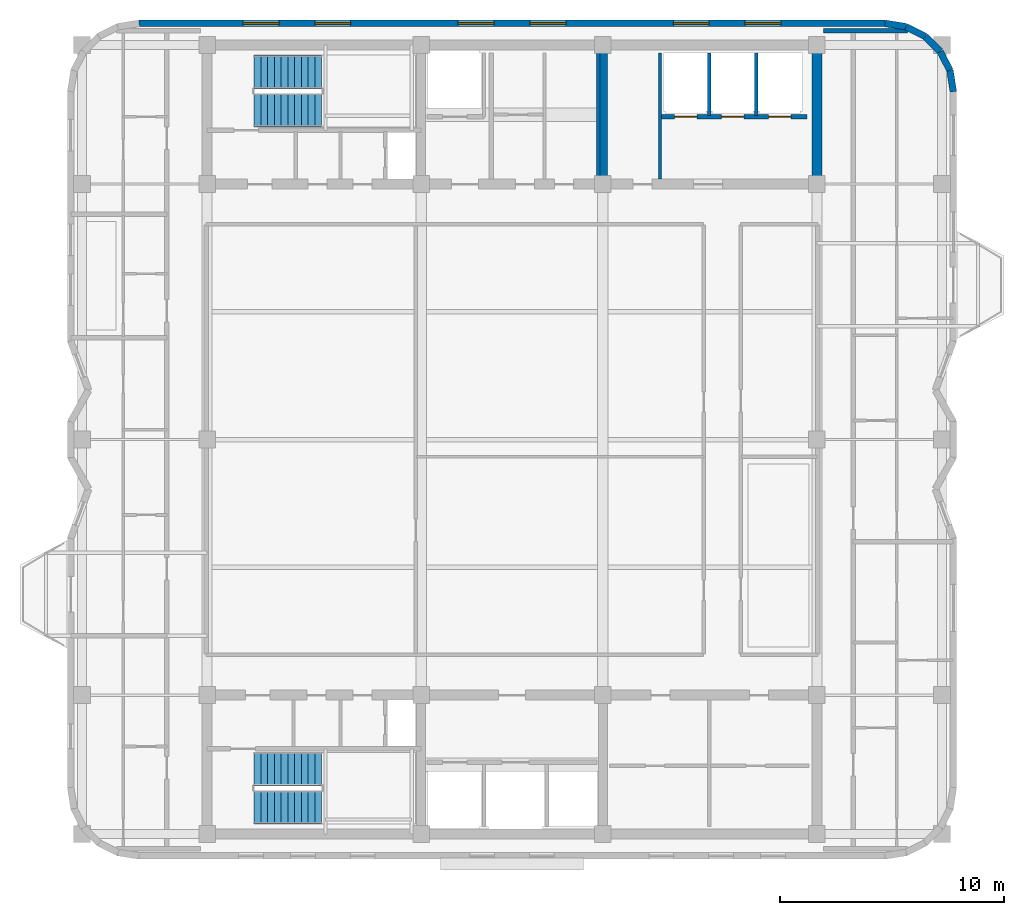
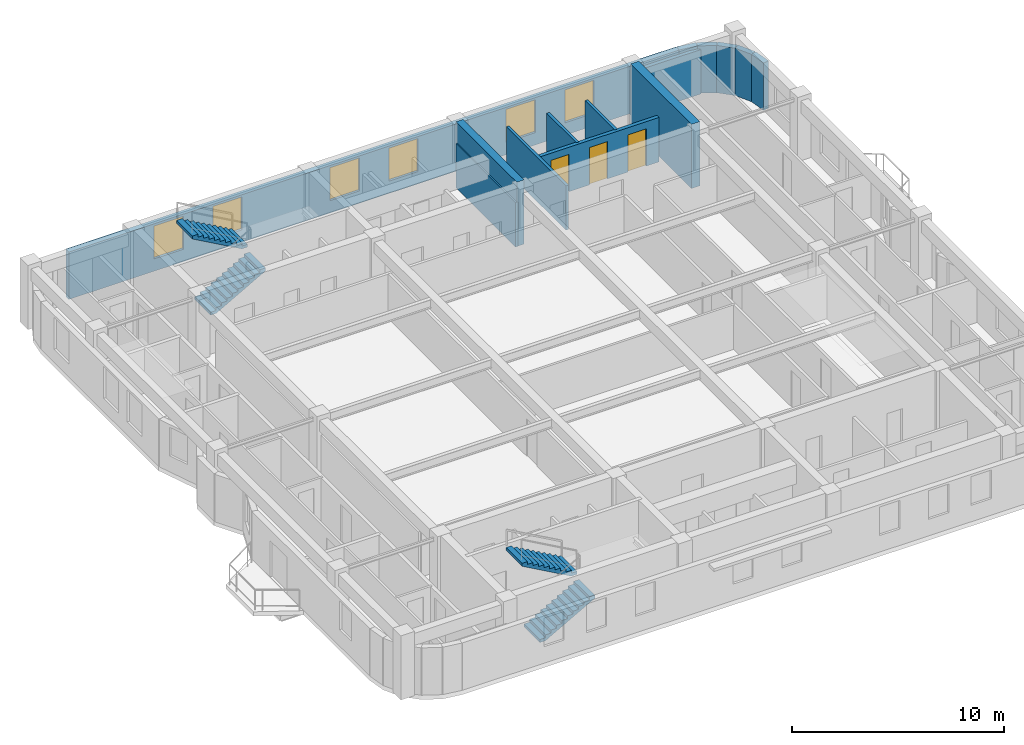
# One storey, part 7 of 9: 14 walls, 6 windows, 4 stair flights, 3 doors, 9 openings, 2 elements without a shape of their own.
"""IFC4 building model written with IfcOpenShell, lengths in metres."""

from ifc_helpers import new_model, si_unit, direction, frame, frame_2d, origin, place, context, subcontext, project, spatial, polyline, rectangle, outline, extrude, material, layer, layer_set, type_object, element, fill, aggregate, save


model = new_model("IFC4")

# Units and contexts
model_context = context("Model", 3, precision=1e-05, world=origin(), true_north=direction((0.0, 1.0)))
body_context = subcontext(model_context, "Body", "Model", "MODEL_VIEW")
ifc_project = project(units=[si_unit("LENGTHUNIT", "METRE"), si_unit("AREAUNIT", "SQUARE_METRE"), si_unit("VOLUMEUNIT", "CUBIC_METRE"), si_unit("PLANEANGLEUNIT", "RADIAN"), si_unit("MASSUNIT", "GRAM", prefix="KILO")], contexts=[model_context])

# Site, building, storey
site_placement = place(None, origin())
site = spatial("IfcSite", under=ifc_project, at=site_placement, CompositionType="ELEMENT")
building_placement = place(site_placement, origin())
building = spatial("IfcBuilding", under=site, at=building_placement, Name="Svetorya Sky Lyceum", CompositionType="ELEMENT")
storey_placement = place(building_placement, frame((0.0, 0.0, 271.300048828125)))
storey = spatial("IfcBuildingStorey", under=building, at=storey_placement, Name="L68", CompositionType="ELEMENT", Elevation=271.300048828125)

# Walls
ifc_material_1 = material(Name="Concrete C40/50", Category="concrete")
ifc_layer_1 = layer(ifc_material_1, 0.39990234375)
ifc_layer_set_1 = layer_set([ifc_layer_1], Name="Concrete C40/50")
wall_type_1 = type_object("IfcWallType", Name="WL-CORE-400", PredefinedType="SHEAR", material=ifc_layer_set_1)
wall_1_placement = place(storey_placement, frame((43.25, 39.824951171875, 0.0), z_axis=(0.0, 0.0, 1.0), x_axis=(0.0, 1.0, 0.0)))
element("IfcWall", 1, at=wall_1_placement, inside=storey, type_object=wall_type_1, Name="L68 NC Internal Shear Web WEB2", PredefinedType="SHEAR", context=body_context, shape_type="SweptSolid", body=[
    extrude(rectangle(XDim=5.75, YDim=0.39990234375, at=frame_2d((2.875, 0.0))), origin(), (0.0, 0.0, 1.0), 3.699951171875),
])
ifc_material_2 = material(Name="Concrete C50/60", Category="concrete")
ifc_layer_2 = layer(ifc_material_2, 0.449951171875)
ifc_layer_set_2 = layer_set([ifc_layer_2], Name="Concrete C50/60")
wall_type_2 = type_object("IfcWallType", Name="WL-CORE-450", PredefinedType="SHEAR", material=ifc_layer_set_2)
wall_2_placement = place(storey_placement, frame((52.800048828125, 39.824951171875, 0.0), z_axis=(0.0, 0.0, 1.0), x_axis=(0.0, 1.0, 0.0)))
element("IfcWall", 2, at=wall_2_placement, inside=storey, type_object=wall_type_2, Name="L68 NC East Core Shear Wall", PredefinedType="SHEAR", context=body_context, shape_type="SweptSolid", body=[
    extrude(rectangle(XDim=5.75, YDim=0.449951171875, at=frame_2d((2.875, 0.0))), origin(), (0.0, 0.0, 1.0), 3.699951171875),
])
ifc_material_3 = material(Name="Putilovo limestone rainscreen on autoclaved cellular masonry", Category="masonry")
ifc_layer_3 = layer(ifc_material_3, 0.300048828125)
ifc_layer_set_3 = layer_set([ifc_layer_3], Name="Putilovo limestone rainscreen on autoclaved cellular masonry")
wall_type_3 = type_object("IfcWallType", Name="WL-EXT-300", PredefinedType="SOLIDWALL", material=ifc_layer_set_3)
wall_3_placement = place(storey_placement, frame((58.889892578125, 43.719970703125, 0.0), z_axis=(0.0, 0.0, 1.0), x_axis=(-0.156304114255, 0.987708977314, 0.0)))
element("IfcWall", 3, at=wall_3_placement, inside=storey, type_object=wall_type_3, Name="L68 Limestone Exterior Wall 19M", PredefinedType="SOLIDWALL", context=body_context, shape_type="SweptSolid", body=[
    extrude(rectangle(XDim=0.954345703125, YDim=0.300048828125, at=frame_2d((0.47705078125, 0.0))), origin(), (0.0, 0.0, 1.0), 2.72998046875),
])
wall_4_placement = place(storey_placement, frame((58.74072265625, 44.66259765625, 0.0), z_axis=(0.0, 0.0, 1.0), x_axis=(-0.45395644796, 0.891023873617, 0.0)))
element("IfcWall", 4, at=wall_4_placement, inside=storey, type_object=wall_type_3, Name="L68 Limestone Exterior Wall 20M", PredefinedType="SOLIDWALL", context=body_context, shape_type="SweptSolid", body=[
    extrude(rectangle(XDim=0.9541015625, YDim=0.300048828125, at=frame_2d((0.47705078125, 0.0))), origin(), (0.0, 0.0, 1.0), 2.72998046875),
])
for number, where, z_axis, x_axis, name in (
    (5, (58.3076171875, 45.5126953125, 0.0), (0.0, 0.0, 1.0), (-0.707106781187, 0.707106781187, 0.0), "L68 Limestone Exterior Wall 21M"),
    (6, (57.6328125, 46.1875, 0.0), (0.0, 0.0, 1.0), (-0.891076589373, 0.453852962833, 0.0), "L68 Limestone Exterior Wall 22M"),
):
    element("IfcWall", number, at=place(storey_placement, frame(where, z_axis=z_axis, x_axis=x_axis)), inside=storey, type_object=wall_type_3, Name=name, PredefinedType="SOLIDWALL", context=body_context, shape_type="SweptSolid", body=[
        extrude(rectangle(XDim=0.954345703125, YDim=0.300048828125, at=frame_2d((0.47705078125, 0.0))), origin(), (0.0, 0.0, 1.0), 2.72998046875),
    ])
wall_5_placement = place(storey_placement, frame((56.782470703125, 46.62060546875, 0.0), z_axis=(0.0, 0.0, 1.0), x_axis=(-0.987663181641, 0.156593229835, 0.0)))
element("IfcWall", 7, at=wall_5_placement, inside=storey, type_object=wall_type_3, Name="L68 Limestone Exterior Wall 23M", PredefinedType="SOLIDWALL", context=body_context, shape_type="SweptSolid", body=[
    extrude(rectangle(XDim=0.9541015625, YDim=0.300048828125, at=frame_2d((0.47705078125, 0.0))), origin(), (0.0, 0.0, 1.0), 2.72998046875),
])

# Wall, openings, windows
wall_6_placement = place(storey_placement, frame((55.840087890625, 46.77001953125, 0.0), z_axis=(0.0, 0.0, 1.0), x_axis=(-1.0, 0.0, 0.0)))
wall_6 = element("IfcWall", 8, at=wall_6_placement, inside=storey, type_object=wall_type_3, Name="L68 Limestone Exterior Wall 24M", PredefinedType="SOLIDWALL", context=body_context, shape_type="SweptSolid", body=[
    extrude(rectangle(XDim=33.280029296875, YDim=0.300048828125, at=frame_2d((16.64013671875, 0.0))), origin(), (0.0, 0.0, 1.0), 2.72998046875),
])
opening_1_placement = place(wall_6_placement, frame((4.64697265625, 0.0, 0.7099609375)))
opening_1 = element("IfcOpeningElement", 9, at=opening_1_placement, cuts=wall_6, Name="Opening W-R4", PredefinedType="OPENING", context=body_context, shape_type="SweptSolid", body=[
    extrude(rectangle(XDim=1.60009765625, YDim=1.89990234375, at=frame_2d((0.800048828125, 0.949951171875))), frame((0.0, 0.159912109375, 0.0), z_axis=(0.0, -1.0, 0.0), x_axis=(1.0, 0.0, 0.0)), (0.0, 0.0, 1.0), 0.320068359375),
])
opening_2_placement = place(wall_6_placement, frame((7.844970703125, 0.0, 0.7099609375)))
opening_2 = element("IfcOpeningElement", 10, at=opening_2_placement, cuts=wall_6, Name="Opening W-R4", PredefinedType="OPENING", context=body_context, shape_type="SweptSolid", body=[
    extrude(rectangle(XDim=1.60009765625, YDim=1.89990234375, at=frame_2d((0.800048828125, 0.949951171875))), frame((0.0, 0.159912109375, 0.0), z_axis=(0.0, -1.0, 0.0), x_axis=(1.0, 0.0, 0.0)), (0.0, 0.0, 1.0), 0.320068359375),
])
opening_3_placement = place(wall_6_placement, frame((14.240966796875, 0.0, 0.7099609375)))
opening_3 = element("IfcOpeningElement", 11, at=opening_3_placement, cuts=wall_6, Name="Opening W-R4", PredefinedType="OPENING", context=body_context, shape_type="SweptSolid", body=[
    extrude(rectangle(XDim=1.60009765625, YDim=1.89990234375, at=frame_2d((0.800048828125, 0.949951171875))), frame((0.0, 0.159912109375, 0.0), z_axis=(0.0, -1.0, 0.0), x_axis=(1.0, 0.0, 0.0)), (0.0, 0.0, 1.0), 0.320068359375),
])
opening_4_placement = place(wall_6_placement, frame((17.43896484375, 0.0, 0.7099609375)))
opening_4 = element("IfcOpeningElement", 12, at=opening_4_placement, cuts=wall_6, Name="Opening W-R4", PredefinedType="OPENING", context=body_context, shape_type="SweptSolid", body=[
    extrude(rectangle(XDim=1.60009765625, YDim=1.89990234375, at=frame_2d((0.800048828125, 0.949951171875))), frame((0.0, 0.159912109375, 0.0), z_axis=(0.0, -1.0, 0.0), x_axis=(1.0, 0.0, 0.0)), (0.0, 0.0, 1.0), 0.320068359375),
])
opening_5_placement = place(wall_6_placement, frame((23.8349609375, 0.0, 0.7099609375)))
opening_5 = element("IfcOpeningElement", 13, at=opening_5_placement, cuts=wall_6, Name="Opening W-R4", PredefinedType="OPENING", context=body_context, shape_type="SweptSolid", body=[
    extrude(rectangle(XDim=1.60009765625, YDim=1.89990234375, at=frame_2d((0.800048828125, 0.949951171875))), frame((0.0, 0.159912109375, 0.0), z_axis=(0.0, -1.0, 0.0), x_axis=(1.0, 0.0, 0.0)), (0.0, 0.0, 1.0), 0.320068359375),
])
opening_6_placement = place(wall_6_placement, frame((27.032958984375, 0.0, 0.7099609375)))
opening_6 = element("IfcOpeningElement", 14, at=opening_6_placement, cuts=wall_6, Name="Opening W-R4", PredefinedType="OPENING", context=body_context, shape_type="SweptSolid", body=[
    extrude(rectangle(XDim=1.60009765625, YDim=1.89990234375, at=frame_2d((0.800048828125, 0.949951171875))), frame((0.0, 0.159912109375, 0.0), z_axis=(0.0, -1.0, 0.0), x_axis=(1.0, 0.0, 0.0)), (0.0, 0.0, 1.0), 0.320068359375),
])
ifc_material_4 = material(Name="Thermally broken aluminium frame with triple low-E glazing", Category="aluminium")
window_type = type_object("IfcWindowType", Name="WN-RES-160", PartitioningType="DOUBLE_PANEL_VERTICAL", PredefinedType="WINDOW", material=ifc_material_4)
window_1_placement = place(opening_1_placement, origin())
window_1 = element("IfcWindow", 15, at=window_1_placement, inside=storey, type_object=window_type, Name="L68 Facade Window W-R4.24M.1", OverallHeight=1.89990234375, OverallWidth=1.60009765625, PartitioningType="SINGLE_PANEL", PredefinedType="WINDOW", context=body_context, shape_type="SweptSolid", body=[
    extrude(rectangle(XDim=1.60009765625, YDim=1.89990234375, at=frame_2d((0.800048828125, 0.949951171875))), frame((0.0, 0.030029296875, 0.0), z_axis=(0.0, -1.0, 0.0), x_axis=(1.0, 0.0, 0.0)), (0.0, 0.0, 1.0), 0.06005859375),
])
fill(opening_1, window_1)
window_2_placement = place(opening_2_placement, origin())
window_2 = element("IfcWindow", 16, at=window_2_placement, inside=storey, type_object=window_type, Name="L68 Facade Window W-R4.24M.2", OverallHeight=1.89990234375, OverallWidth=1.60009765625, PartitioningType="SINGLE_PANEL", PredefinedType="WINDOW", context=body_context, shape_type="SweptSolid", body=[
    extrude(rectangle(XDim=1.60009765625, YDim=1.89990234375, at=frame_2d((0.800048828125, 0.949951171875))), frame((0.0, 0.030029296875, 0.0), z_axis=(0.0, -1.0, 0.0), x_axis=(1.0, 0.0, 0.0)), (0.0, 0.0, 1.0), 0.06005859375),
])
fill(opening_2, window_2)
window_3_placement = place(opening_3_placement, origin())
window_3 = element("IfcWindow", 17, at=window_3_placement, inside=storey, type_object=window_type, Name="L68 Facade Window W-R4.24M.3", OverallHeight=1.89990234375, OverallWidth=1.60009765625, PartitioningType="SINGLE_PANEL", PredefinedType="WINDOW", context=body_context, shape_type="SweptSolid", body=[
    extrude(rectangle(XDim=1.60009765625, YDim=1.89990234375, at=frame_2d((0.800048828125, 0.949951171875))), frame((0.0, 0.030029296875, 0.0), z_axis=(0.0, -1.0, 0.0), x_axis=(1.0, 0.0, 0.0)), (0.0, 0.0, 1.0), 0.06005859375),
])
fill(opening_3, window_3)
window_4_placement = place(opening_4_placement, origin())
window_4 = element("IfcWindow", 18, at=window_4_placement, inside=storey, type_object=window_type, Name="L68 Facade Window W-R4.24M.4", OverallHeight=1.89990234375, OverallWidth=1.60009765625, PartitioningType="SINGLE_PANEL", PredefinedType="WINDOW", context=body_context, shape_type="SweptSolid", body=[
    extrude(rectangle(XDim=1.60009765625, YDim=1.89990234375, at=frame_2d((0.800048828125, 0.949951171875))), frame((0.0, 0.030029296875, 0.0), z_axis=(0.0, -1.0, 0.0), x_axis=(1.0, 0.0, 0.0)), (0.0, 0.0, 1.0), 0.06005859375),
])
fill(opening_4, window_4)
window_5_placement = place(opening_5_placement, origin())
window_5 = element("IfcWindow", 19, at=window_5_placement, inside=storey, type_object=window_type, Name="L68 Facade Window W-R4.24M.5", OverallHeight=1.89990234375, OverallWidth=1.60009765625, PartitioningType="SINGLE_PANEL", PredefinedType="WINDOW", context=body_context, shape_type="SweptSolid", body=[
    extrude(rectangle(XDim=1.60009765625, YDim=1.89990234375, at=frame_2d((0.800048828125, 0.949951171875))), frame((0.0, 0.030029296875, 0.0), z_axis=(0.0, -1.0, 0.0), x_axis=(1.0, 0.0, 0.0)), (0.0, 0.0, 1.0), 0.06005859375),
])
fill(opening_5, window_5)
window_6_placement = place(opening_6_placement, origin())
window_6 = element("IfcWindow", 20, at=window_6_placement, inside=storey, type_object=window_type, Name="L68 Facade Window W-R4.24M.6", OverallHeight=1.89990234375, OverallWidth=1.60009765625, PartitioningType="SINGLE_PANEL", PredefinedType="WINDOW", context=body_context, shape_type="SweptSolid", body=[
    extrude(rectangle(XDim=1.60009765625, YDim=1.89990234375, at=frame_2d((0.800048828125, 0.949951171875))), frame((0.0, 0.030029296875, 0.0), z_axis=(0.0, -1.0, 0.0), x_axis=(1.0, 0.0, 0.0)), (0.0, 0.0, 1.0), 0.06005859375),
])
fill(opening_6, window_6)

# Walls
ifc_material_5 = material(Name="Autoclaved cellular masonry blockwork with acoustic render", Category="masonry")
ifc_layer_4 = layer(ifc_material_5, 0.14990234375)
ifc_layer_set_4 = layer_set([ifc_layer_4], Name="Autoclaved cellular masonry blockwork with acoustic render")
wall_type_4 = type_object("IfcWallType", Name="WL-PART-150", PredefinedType="PARTITIONING", material=ifc_layer_set_4)
for number, where, z_axis, x_axis, name in (
    (21, (43.050048828125, 39.820068359375, 0.0), (0.0, 0.0, 1.0), (0.0, 1.0, 0.0), "L68 Interior Partition NC-FPM-END"),
    (22, (45.800048828125, 39.820068359375, 0.0), (0.0, 0.0, 1.0), (0.0, 1.0, 0.0), "L68 Interior Partition NC-PM3-FULL"),
):
    element("IfcWall", number, at=place(storey_placement, frame(where, z_axis=z_axis, x_axis=x_axis)), inside=storey, type_object=wall_type_4, Name=name, PredefinedType="PARTITIONING", context=body_context, shape_type="SweptSolid", body=[
        extrude(rectangle(XDim=5.6298828125, YDim=0.14990234375, at=frame_2d((2.81494140625, 0.0))), origin(), (0.0, 0.0, 1.0), 2.56005859375),
    ])
for number, where, z_axis, x_axis, name in (
    (23, (48.0, 42.64990234375, 0.0), (0.0, 0.0, 1.0), (0.0, 1.0, 0.0), "L68 Interior Partition NC-PH-D1"),
    (24, (50.10009765625, 42.64990234375, 0.0), (0.0, 0.0, 1.0), (0.0, 1.0, 0.0), "L68 Interior Partition NC-PH-D2"),
):
    element("IfcWall", number, at=place(storey_placement, frame(where, z_axis=z_axis, x_axis=x_axis)), inside=storey, type_object=wall_type_4, Name=name, PredefinedType="PARTITIONING", context=body_context, shape_type="SweptSolid", body=[
        extrude(rectangle(XDim=2.800048828125, YDim=0.14990234375, at=frame_2d((1.39990234375, 0.0))), origin(), (0.0, 0.0, 1.0), 2.56005859375),
    ])

# Wall, openings, doors
ifc_material_6 = material(Name="Autoclaved cellular masonry blockwork with gypsum plaster", Category="masonry")
ifc_layer_5 = layer(ifc_material_6, 0.199951171875)
ifc_layer_set_5 = layer_set([ifc_layer_5], Name="Autoclaved cellular masonry blockwork with gypsum plaster")
wall_type_5 = type_object("IfcWallType", Name="WL-PART-200", PredefinedType="PARTITIONING", material=ifc_layer_set_5)
wall_7_placement = place(storey_placement, frame((52.35009765625, 42.60009765625, 0.0), z_axis=(0.0, 0.0, 1.0), x_axis=(-1.0, 0.0, 0.0)))
wall_7 = element("IfcWall", 25, at=wall_7_placement, inside=storey, type_object=wall_type_5, Name="L68 Interior Partition NC-PHEW", PredefinedType="PARTITIONING", context=body_context, shape_type="SweptSolid", body=[
    extrude(rectangle(XDim=6.5, YDim=0.199951171875, at=frame_2d((3.25, 0.0))), origin(), (0.0, 0.0, 1.0), 2.56005859375),
])
opening_7_placement = place(wall_7_placement, frame((4.89990234375, 0.0, 0.0)))
opening_7 = element("IfcOpeningElement", 26, at=opening_7_placement, cuts=wall_7, Name="Opening LD-P1", PredefinedType="OPENING", context=body_context, shape_type="SweptSolid", body=[
    extrude(rectangle(XDim=1.0, YDim=2.14990234375, at=frame_2d((0.5, 1.074951171875))), frame((0.0, 0.10986328125, 0.0), z_axis=(0.0, -1.0, 0.0), x_axis=(1.0, 0.0, 0.0)), (0.0, 0.0, 1.0), 0.219970703125),
])
opening_8_placement = place(wall_7_placement, frame((2.800048828125, 0.0, 0.0)))
opening_8 = element("IfcOpeningElement", 27, at=opening_8_placement, cuts=wall_7, Name="Opening LD-P1", PredefinedType="OPENING", context=body_context, shape_type="SweptSolid", body=[
    extrude(rectangle(XDim=1.0, YDim=2.14990234375, at=frame_2d((0.5, 1.074951171875))), frame((0.0, 0.10986328125, 0.0), z_axis=(0.0, -1.0, 0.0), x_axis=(1.0, 0.0, 0.0)), (0.0, 0.0, 1.0), 0.219970703125),
])
opening_9_placement = place(wall_7_placement, frame((0.699951171875, 0.0, 0.0)))
opening_9 = element("IfcOpeningElement", 28, at=opening_9_placement, cuts=wall_7, Name="Opening LD-P1", PredefinedType="OPENING", context=body_context, shape_type="SweptSolid", body=[
    extrude(rectangle(XDim=1.0, YDim=2.14990234375, at=frame_2d((0.5, 1.074951171875))), frame((0.0, 0.10986328125, 0.0), z_axis=(0.0, -1.0, 0.0), x_axis=(1.0, 0.0, 0.0)), (0.0, 0.0, 1.0), 0.219970703125),
])
ifc_material_7 = material(Name="Champagne-anodized stainless passenger lift landing door")
door_type = type_object("IfcDoorType", Name="DR-LIFT-1000", OperationType="SLIDING_TO_LEFT", PredefinedType="DOOR", material=ifc_material_7)
door_1_placement = place(opening_7_placement, origin())
door_1 = element("IfcDoor", 29, at=door_1_placement, inside=storey, type_object=door_type, Name="L68 Passenger Lift PH1 Landing Door", OperationType="SLIDING_TO_LEFT", OverallHeight=2.14990234375, OverallWidth=1.0, PredefinedType="DOOR", context=body_context, shape_type="SweptSolid", body=[
    extrude(rectangle(XDim=1.0, YDim=2.14990234375, at=frame_2d((0.5, 1.074951171875))), frame((0.0, 0.02490234375, 0.0), z_axis=(0.0, -1.0, 0.0), x_axis=(1.0, 0.0, 0.0)), (0.0, 0.0, 1.0), 0.050048828125),
])
fill(opening_7, door_1)
door_2_placement = place(opening_8_placement, origin())
door_2 = element("IfcDoor", 30, at=door_2_placement, inside=storey, type_object=door_type, Name="L68 Passenger Lift PH2 Landing Door", OperationType="SLIDING_TO_LEFT", OverallHeight=2.14990234375, OverallWidth=1.0, PredefinedType="DOOR", context=body_context, shape_type="SweptSolid", body=[
    extrude(rectangle(XDim=1.0, YDim=2.14990234375, at=frame_2d((0.5, 1.074951171875))), frame((0.0, 0.02490234375, 0.0), z_axis=(0.0, -1.0, 0.0), x_axis=(1.0, 0.0, 0.0)), (0.0, 0.0, 1.0), 0.050048828125),
])
fill(opening_8, door_2)
door_3_placement = place(opening_9_placement, origin())
door_3 = element("IfcDoor", 31, at=door_3_placement, inside=storey, type_object=door_type, Name="L68 Passenger Lift PH3 Landing Door", OperationType="SLIDING_TO_LEFT", OverallHeight=2.14990234375, OverallWidth=1.0, PredefinedType="DOOR", context=body_context, shape_type="SweptSolid", body=[
    extrude(rectangle(XDim=1.0, YDim=2.14990234375, at=frame_2d((0.5, 1.074951171875))), frame((0.0, 0.02490234375, 0.0), z_axis=(0.0, -1.0, 0.0), x_axis=(1.0, 0.0, 0.0)), (0.0, 0.0, 1.0), 0.050048828125),
])
fill(opening_9, door_3)

# Wall
wall_8_placement = place(storey_placement, frame((53.10009765625, 46.449951171875, 0.0), z_axis=(0.0, 0.0, 1.0), x_axis=(1.0, 0.0, 0.0)))
element("IfcWall", 32, at=wall_8_placement, inside=storey, type_object=wall_type_5, Name="L68 Interior Partition E-CAP-N", PredefinedType="PARTITIONING", context=body_context, shape_type="SweptSolid", body=[
    extrude(rectangle(XDim=3.75390625, YDim=0.199951171875, at=frame_2d((1.876953125, 0.0))), origin(), (0.0, 0.0, 1.0), 2.56005859375),
])

# Stair, stair flights
stair_type_1 = type_object("IfcStairType", Name="STR-ST-N", PredefinedType="HALF_TURN_STAIR", material=ifc_material_1)
stair_1_placement = place(storey_placement, origin())
stair_1 = element("IfcStair", 33, at=stair_1_placement, inside=storey, type_object=stair_type_1, Name="L68 North Core Smoke-Free Exit Stair N3", PredefinedType="HALF_TURN_STAIR")
stair_flight_type_1 = type_object("IfcStairFlightType", Name="SFL-ST-N", PredefinedType="STRAIGHT", material=ifc_material_1)
stair_flight_1_placement = place(storey_placement, frame((27.699951171875, 42.89990234375, 0.0), z_axis=(0.0, 0.0, 1.0), x_axis=(1.0, 0.0, 0.0)))
stair_flight_1 = element("IfcStairFlight", 34, at=stair_flight_1_placement, type_object=stair_flight_type_1, Name="ST-N flight 1", NumberOfRisers=11, NumberOfTreads=10, PredefinedType="STRAIGHT", RiserHeight=0.168181818, TreadLength=0.3, context=body_context, shape_type="SweptSolid", body=[
    extrude(outline(polyline([(0.0, 0.0), (0.0, 0.168212890625), (0.300048828125, 0.168212890625), (0.300048828125, 0.33642578125), (0.60009765625, 0.33642578125), (0.60009765625, 0.504638671875), (0.89990234375, 0.504638671875), (0.89990234375, 0.672607421875), (1.199951171875, 0.672607421875), (1.199951171875, 0.8408203125), (1.5, 0.8408203125), (1.5, 1.009033203125), (1.800048828125, 1.009033203125), (1.800048828125, 1.17724609375), (2.10009765625, 1.17724609375), (2.10009765625, 1.345458984375), (2.39990234375, 1.345458984375), (2.39990234375, 1.513671875), (2.699951171875, 1.513671875), (2.699951171875, 1.681884765625), (3.0, 1.681884765625), (3.0, 1.85009765625), (3.0, 1.510009765625), (0.306640625, 0.0), (0.0, 0.0)])), frame((0.0, 0.75, 0.0), z_axis=(0.0, -1.0, 0.0), x_axis=(1.0, 0.0, 0.0)), (0.0, 0.0, 1.0), 1.5),
])
stair_flight_2_placement = place(storey_placement, frame((30.699951171875, 44.60009765625, 1.849853515625), z_axis=(0.0, 0.0, 1.0), x_axis=(-1.0, 0.0, 0.0)))
stair_flight_2 = element("IfcStairFlight", 35, at=stair_flight_2_placement, type_object=stair_flight_type_1, Name="ST-N flight 2", NumberOfRisers=11, NumberOfTreads=10, PredefinedType="STRAIGHT", RiserHeight=0.168181818, TreadLength=0.3, context=body_context, shape_type="SweptSolid", body=[
    extrude(outline(polyline([(0.0, 0.0), (0.0, 0.168212890625), (0.300048828125, 0.168212890625), (0.300048828125, 0.33642578125), (0.60009765625, 0.33642578125), (0.60009765625, 0.504638671875), (0.89990234375, 0.504638671875), (0.89990234375, 0.672607421875), (1.199951171875, 0.672607421875), (1.199951171875, 0.8408203125), (1.5, 0.8408203125), (1.5, 1.009033203125), (1.800048828125, 1.009033203125), (1.800048828125, 1.17724609375), (2.10009765625, 1.17724609375), (2.10009765625, 1.345458984375), (2.39990234375, 1.345458984375), (2.39990234375, 1.513671875), (2.699951171875, 1.513671875), (2.699951171875, 1.681884765625), (3.0, 1.681884765625), (3.0, 1.85009765625), (3.0, 1.510009765625), (0.306640625, 0.0), (0.0, 0.0)])), frame((0.0, 0.75, 0.0), z_axis=(0.0, -1.0, 0.0), x_axis=(1.0, 0.0, 0.0)), (0.0, 0.0, 1.0), 1.5),
])
aggregate(stair_1, [stair_flight_1, stair_flight_2])

stair_type_2 = type_object("IfcStairType", Name="STR-ST-S", PredefinedType="HALF_TURN_STAIR", material=ifc_material_1)
stair_2_placement = place(storey_placement, origin())
stair_2 = element("IfcStair", 36, at=stair_2_placement, inside=storey, type_object=stair_type_2, Name="L68 South Core Smoke-Free Exit Stair N2", PredefinedType="HALF_TURN_STAIR")
stair_flight_type_2 = type_object("IfcStairFlightType", Name="SFL-ST-S", PredefinedType="STRAIGHT", material=ifc_material_1)
stair_flight_3_placement = place(storey_placement, frame((27.699951171875, 11.800048828125, 0.0), z_axis=(0.0, 0.0, 1.0), x_axis=(1.0, 0.0, 0.0)))
stair_flight_3 = element("IfcStairFlight", 37, at=stair_flight_3_placement, type_object=stair_flight_type_2, Name="ST-S flight 1", NumberOfRisers=11, NumberOfTreads=10, PredefinedType="STRAIGHT", RiserHeight=0.168181818, TreadLength=0.3, context=body_context, shape_type="SweptSolid", body=[
    extrude(outline(polyline([(0.0, 0.0), (0.0, 0.168212890625), (0.300048828125, 0.168212890625), (0.300048828125, 0.33642578125), (0.60009765625, 0.33642578125), (0.60009765625, 0.504638671875), (0.89990234375, 0.504638671875), (0.89990234375, 0.672607421875), (1.199951171875, 0.672607421875), (1.199951171875, 0.8408203125), (1.5, 0.8408203125), (1.5, 1.009033203125), (1.800048828125, 1.009033203125), (1.800048828125, 1.17724609375), (2.10009765625, 1.17724609375), (2.10009765625, 1.345458984375), (2.39990234375, 1.345458984375), (2.39990234375, 1.513671875), (2.699951171875, 1.513671875), (2.699951171875, 1.681884765625), (3.0, 1.681884765625), (3.0, 1.85009765625), (3.0, 1.510009765625), (0.306640625, 0.0), (0.0, 0.0)])), frame((0.0, 0.75, 0.0), z_axis=(0.0, -1.0, 0.0), x_axis=(1.0, 0.0, 0.0)), (0.0, 0.0, 1.0), 1.5),
])
stair_flight_4_placement = place(storey_placement, frame((30.699951171875, 13.5, 1.849853515625), z_axis=(0.0, 0.0, 1.0), x_axis=(-1.0, 0.0, 0.0)))
stair_flight_4 = element("IfcStairFlight", 38, at=stair_flight_4_placement, type_object=stair_flight_type_2, Name="ST-S flight 2", NumberOfRisers=11, NumberOfTreads=10, PredefinedType="STRAIGHT", RiserHeight=0.168181818, TreadLength=0.3, context=body_context, shape_type="SweptSolid", body=[
    extrude(outline(polyline([(0.0, 0.0), (0.0, 0.168212890625), (0.300048828125, 0.168212890625), (0.300048828125, 0.33642578125), (0.60009765625, 0.33642578125), (0.60009765625, 0.504638671875), (0.89990234375, 0.504638671875), (0.89990234375, 0.672607421875), (1.199951171875, 0.672607421875), (1.199951171875, 0.8408203125), (1.5, 0.8408203125), (1.5, 1.009033203125), (1.800048828125, 1.009033203125), (1.800048828125, 1.17724609375), (2.10009765625, 1.17724609375), (2.10009765625, 1.345458984375), (2.39990234375, 1.345458984375), (2.39990234375, 1.513671875), (2.699951171875, 1.513671875), (2.699951171875, 1.681884765625), (3.0, 1.681884765625), (3.0, 1.85009765625), (3.0, 1.510009765625), (0.306640625, 0.0), (0.0, 0.0)])), frame((0.0, 0.75, 0.0), z_axis=(0.0, -1.0, 0.0), x_axis=(1.0, 0.0, 0.0)), (0.0, 0.0, 1.0), 1.5),
])
aggregate(stair_2, [stair_flight_3, stair_flight_4])

save(model, "model.ifc")
